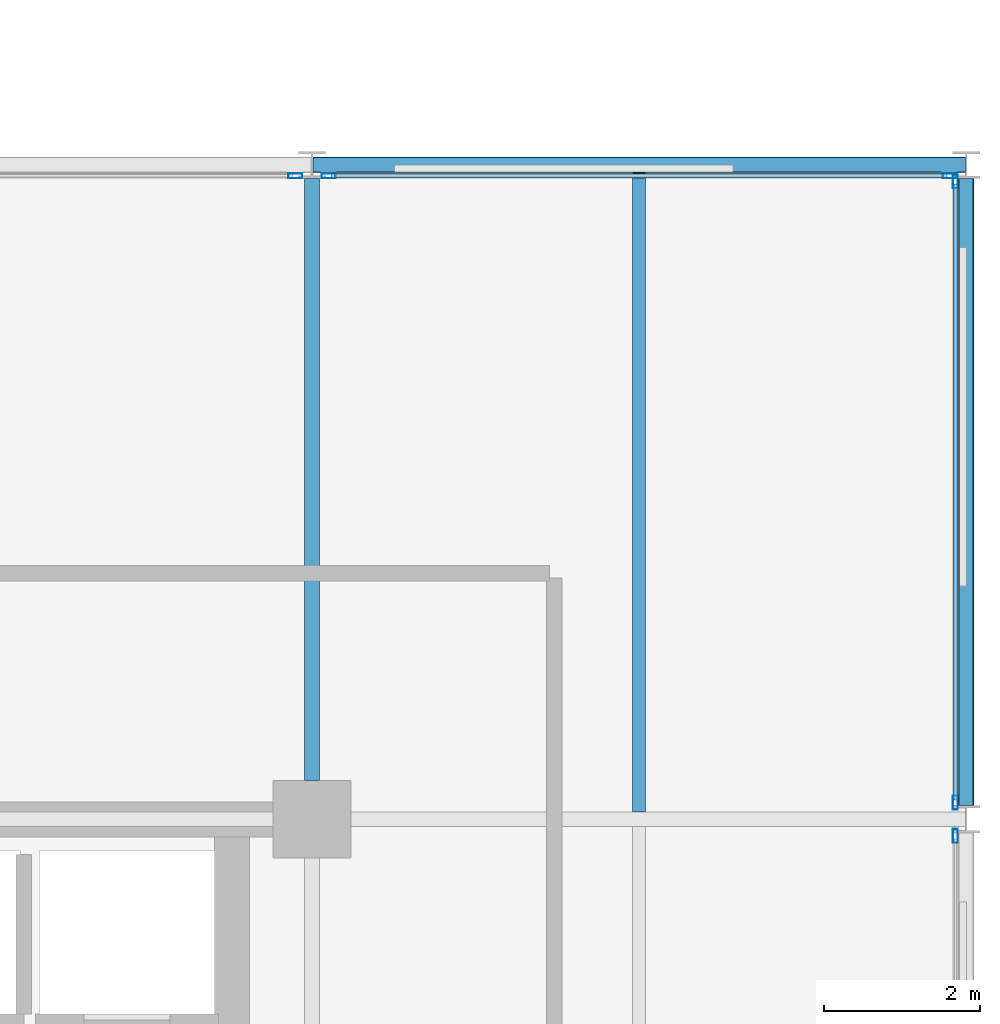
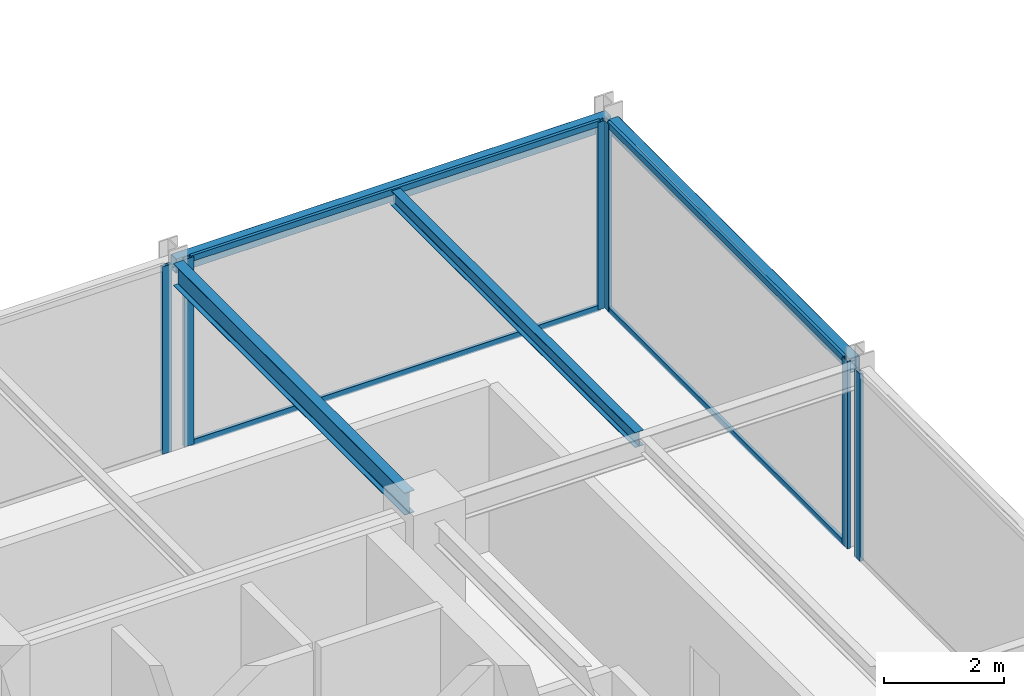
# One storey, part 15 of 25: 10 members, 4 beams, 4 elements without a shape of their own.
"""IFC4 building model written with IfcOpenShell, lengths in metres."""

from ifc_helpers import new_model, si_unit, direction, frame, origin, origin_2d, place, context, subcontext, project, spatial, hollow_rectangle, i_section, extrude, material, layer, layer_set, material_profile, profile_set, type_object, element, aggregate, save


model = new_model("IFC4")

# Units and contexts
model_context = context("Model", 3, precision=1e-05, world=origin(), true_north=direction((0.0, 1.0)))
body_context = subcontext(model_context, "Body", "Model", "MODEL_VIEW")
ifc_project = project(units=[si_unit("LENGTHUNIT", "METRE"), si_unit("AREAUNIT", "SQUARE_METRE"), si_unit("VOLUMEUNIT", "CUBIC_METRE"), si_unit("PLANEANGLEUNIT", "RADIAN"), si_unit("MASSUNIT", "GRAM", prefix="KILO")], contexts=[model_context])

# Site, building, storey
site_placement = place(None, origin())
site = spatial("IfcSite", under=ifc_project, at=site_placement, CompositionType="ELEMENT")
building_placement = place(site_placement, origin())
building = spatial("IfcBuilding", under=site, at=building_placement, Name="Nerrivon Quay Data Exchange", CompositionType="ELEMENT")
storey_placement = place(building_placement, frame((0.0, 0.0, 237.0)))
storey = spatial("IfcBuildingStorey", under=building, at=storey_placement, Name="L56", CompositionType="ELEMENT", Elevation=237.0)

# Beams
ifc_material_1 = material(Name="Steel Grade 350", Category="steel")
ifc_material_profile_1 = material_profile(ifc_material_1, i_section(OverallWidth=0.18994140625, OverallDepth=0.4541015625, WebThickness=0.008544921875, FlangeThickness=0.0126953125, FilletRadius=0.011474609375, at=origin_2d()), Name="460UB67.1")
ifc_profile_set_1 = profile_set([ifc_material_profile_1], Name="Steel Grade 350")
beam_type_1 = type_object("IfcBeamType", Name="BM-G6-460UB67", PredefinedType="BEAM", material=ifc_profile_set_1)
beam_1_placement = place(storey_placement, frame((33.60009765625, 17.300048828125, 3.597900390625), z_axis=(0.0, 1.0, 0.0), x_axis=(-1.0, 0.0, 0.0)))
element("IfcBeam", 1, at=beam_1_placement, inside=storey, type_object=beam_type_1, Name="L56 NS Girder X=33.6 (16.8..25.2)", PredefinedType="BEAM", context=body_context, shape_type="SweptSolid", body=[
    extrude(i_section(OverallWidth=0.18994140625, OverallDepth=0.4541015625, WebThickness=0.008544921875, FlangeThickness=0.0126953125, FilletRadius=0.011474609375, at=origin_2d()), origin(), (0.0, 0.0, 1.0), 7.724853515625),
])
ifc_material_profile_2 = material_profile(ifc_material_1, i_section(OverallWidth=0.166015625, OverallDepth=0.306884765625, WebThickness=0.006591796875, FlangeThickness=0.01171875, FilletRadius=0.011474609375, at=origin_2d()), Name="310UB46.2")
ifc_profile_set_2 = profile_set([ifc_material_profile_2], Name="Steel Grade 350")
beam_type_2 = type_object("IfcBeamType", Name="BM-J5-310UB46", PredefinedType="JOIST", material=ifc_profile_set_2)
beam_2_placement = place(storey_placement, frame((37.800048828125, 16.8955078125, 3.67138671875), z_axis=(0.0, 1.0, 0.0), x_axis=(-1.0, 0.0, 0.0)))
element("IfcBeam", 2, at=beam_2_placement, inside=storey, type_object=beam_type_2, Name="L56 Secondary Joist X=37.8 (16.8..25.2)", PredefinedType="JOIST", context=body_context, shape_type="SweptSolid", body=[
    extrude(i_section(OverallWidth=0.166015625, OverallDepth=0.306884765625, WebThickness=0.006591796875, FlangeThickness=0.01171875, FilletRadius=0.011474609375, at=origin_2d()), origin(), (0.0, 0.0, 1.0), 8.20458984375),
])
ifc_material_2 = material(Name="Steel Grade C350L0 (350 MPa)", Category="steel")
ifc_material_profile_3 = material_profile(ifc_material_2, hollow_rectangle(XDim=0.199951171875, YDim=0.300048828125, WallThickness=0.012451171875, InnerFilletRadius=0.018798828125, OuterFilletRadius=0.03125, at=origin_2d()), Name="300x200x12.5RHS")
ifc_profile_set_3 = profile_set([ifc_material_profile_3], Name="Steel Grade C350L0 (350 MPa)")
beam_type_3 = type_object("IfcBeamType", Name="BM-SP3-300x200RHS", PredefinedType="SPANDREL", material=ifc_profile_set_3)
beam_3_placement = place(storey_placement, frame((33.610107421875, 25.199951171875, 3.675048828125), z_axis=(1.0, 0.0, 0.0), x_axis=(0.0, 1.0, 0.0)))
element("IfcBeam", 3, at=beam_3_placement, inside=storey, type_object=beam_type_3, Name="L56 EW Girder Y=25.2 (33.6..42.0)", PredefinedType="SPANDREL", context=body_context, shape_type="SweptSolid", body=[
    extrude(hollow_rectangle(XDim=0.199951171875, YDim=0.300048828125, WallThickness=0.012451171875, InnerFilletRadius=0.018798828125, OuterFilletRadius=0.03125, at=origin_2d()), origin(), (0.0, 0.0, 1.0), 8.3798828125),
])
beam_4_placement = place(storey_placement, frame((42.0, 16.97509765625, 3.675048828125), z_axis=(0.0, 1.0, 0.0), x_axis=(-1.0, 0.0, 0.0)))
element("IfcBeam", 4, at=beam_4_placement, inside=storey, type_object=beam_type_3, Name="L56 NS Girder X=42.0 (16.8..25.2)", PredefinedType="SPANDREL", context=body_context, shape_type="SweptSolid", body=[
    extrude(hollow_rectangle(XDim=0.199951171875, YDim=0.300048828125, WallThickness=0.012451171875, InnerFilletRadius=0.018798828125, OuterFilletRadius=0.03125, at=origin_2d()), origin(), (0.0, 0.0, 1.0), 8.0498046875),
])

# Curtain wall, member
ifc_material_3 = material(Name="Anodised aluminium 6063-T6", Category="aluminium")
ifc_layer = layer(ifc_material_3, 0.195068359375)
ifc_layer_set = layer_set([ifc_layer], Name="Anodised aluminium 6063-T6")
curtain_wall_type = type_object("IfcCurtainWallType", Name="CW-SYS-06", PredefinedType="NOTDEFINED", material=ifc_layer_set)
curtain_wall_1_placement = place(storey_placement, origin())
curtain_wall_1 = element("IfcCurtainWall", 5, at=curtain_wall_1_placement, inside=storey, type_object=curtain_wall_type, Name="L56 Unitised Curtain Wall 24", PredefinedType="NOTDEFINED")
ifc_material_profile_4 = material_profile(ifc_material_3, hollow_rectangle(XDim=0.06494140625, YDim=0.179931640625, WallThickness=0.00341796875, at=origin_2d()), Name="ALU-MULL-180x65")
ifc_profile_set_4 = profile_set([ifc_material_profile_4], Name="Anodised aluminium 6063-T6")
member_type_1 = type_object("IfcMemberType", Name="CWM-180x65", PredefinedType="MULLION", material=ifc_profile_set_4)
member_1_placement = place(storey_placement, frame((33.387451171875, 25.06005859375, 0.0), z_axis=(0.0, 0.0, 1.0), x_axis=(0.0, 1.0, 0.0)))
member_1 = element("IfcMember", 6, at=member_1_placement, type_object=member_type_1, Name="CW06 mullion 2", PredefinedType="MULLION", context=body_context, shape_type="SweptSolid", body=[
    extrude(hollow_rectangle(XDim=0.06494140625, YDim=0.179931640625, WallThickness=0.00341796875, at=origin_2d()), origin(), (0.0, 0.0, 1.0), 3.824951171875),
])
aggregate(curtain_wall_1, [member_1])

# Curtain wall, members
curtain_wall_2_placement = place(storey_placement, origin())
curtain_wall_2 = element("IfcCurtainWall", 7, at=curtain_wall_2_placement, inside=storey, type_object=curtain_wall_type, Name="L56 Unitised Curtain Wall 25", PredefinedType="NOTDEFINED")
member_2_placement = place(storey_placement, frame((33.8125, 25.06005859375, 0.0), z_axis=(0.0, 0.0, 1.0), x_axis=(0.0, 1.0, 0.0)))
member_2 = element("IfcMember", 8, at=member_2_placement, type_object=member_type_1, Name="CW06 mullion 1", PredefinedType="MULLION", context=body_context, shape_type="SweptSolid", body=[
    extrude(hollow_rectangle(XDim=0.06494140625, YDim=0.179931640625, WallThickness=0.00341796875, at=origin_2d()), origin(), (0.0, 0.0, 1.0), 3.824951171875),
])
member_3_placement = place(storey_placement, frame((41.78759765625, 25.06005859375, 0.0), z_axis=(0.0, 0.0, 1.0), x_axis=(0.0, 1.0, 0.0)))
member_3 = element("IfcMember", 9, at=member_3_placement, type_object=member_type_1, Name="CW06 mullion 2", PredefinedType="MULLION", context=body_context, shape_type="SweptSolid", body=[
    extrude(hollow_rectangle(XDim=0.06494140625, YDim=0.179931640625, WallThickness=0.00341796875, at=origin_2d()), origin(), (0.0, 0.0, 1.0), 3.824951171875),
])

curtain_wall_3_placement = place(storey_placement, origin())
curtain_wall_3 = element("IfcCurtainWall", 10, at=curtain_wall_3_placement, inside=storey, type_object=curtain_wall_type, Name="L56 Unitised Curtain Wall 26", PredefinedType="NOTDEFINED")
member_4_placement = place(storey_placement, frame((41.860107421875, 24.987548828125, 0.0), z_axis=(0.0, 0.0, 1.0), x_axis=(1.0, 0.0, 0.0)))
member_4 = element("IfcMember", 11, at=member_4_placement, type_object=member_type_1, Name="CW06 mullion 1", PredefinedType="MULLION", context=body_context, shape_type="SweptSolid", body=[
    extrude(hollow_rectangle(XDim=0.06494140625, YDim=0.179931640625, WallThickness=0.00341796875, at=origin_2d()), origin(), (0.0, 0.0, 1.0), 3.824951171875),
])
member_5_placement = place(storey_placement, frame((41.860107421875, 17.012451171875, 0.0), z_axis=(0.0, 0.0, 1.0), x_axis=(1.0, 0.0, 0.0)))
member_5 = element("IfcMember", 12, at=member_5_placement, type_object=member_type_1, Name="CW06 mullion 2", PredefinedType="MULLION", context=body_context, shape_type="SweptSolid", body=[
    extrude(hollow_rectangle(XDim=0.06494140625, YDim=0.179931640625, WallThickness=0.00341796875, at=origin_2d()), origin(), (0.0, 0.0, 1.0), 3.824951171875),
])

# Curtain wall, member
curtain_wall_4_placement = place(storey_placement, origin())
curtain_wall_4 = element("IfcCurtainWall", 13, at=curtain_wall_4_placement, inside=storey, type_object=curtain_wall_type, Name="L56 Unitised Curtain Wall 27", PredefinedType="NOTDEFINED")
member_6_placement = place(storey_placement, frame((41.860107421875, 16.58740234375, 0.0), z_axis=(0.0, 0.0, 1.0), x_axis=(1.0, 0.0, 0.0)))
member_6 = element("IfcMember", 14, at=member_6_placement, type_object=member_type_1, Name="CW06 mullion 1", PredefinedType="MULLION", context=body_context, shape_type="SweptSolid", body=[
    extrude(hollow_rectangle(XDim=0.06494140625, YDim=0.179931640625, WallThickness=0.00341796875, at=origin_2d()), origin(), (0.0, 0.0, 1.0), 3.824951171875),
])
aggregate(curtain_wall_4, [member_6])

# Member
ifc_material_profile_5 = material_profile(ifc_material_3, hollow_rectangle(XDim=0.06005859375, YDim=0.1201171875, WallThickness=0.003173828125, at=origin_2d()), Name="ALU-TRAN-120x60")
ifc_profile_set_5 = profile_set([ifc_material_profile_5], Name="Anodised aluminium 6063-T6")
member_type_2 = type_object("IfcMemberType", Name="CWT-120x60", PredefinedType="USERDEFINED", material=ifc_profile_set_5)
member_7_placement = place(storey_placement, frame((33.85009765625, 25.06005859375, 0.032470703125), z_axis=(1.0, 0.0, 0.0), x_axis=(0.0, 1.0, 0.0)))
member_7 = element("IfcMember", 15, at=member_7_placement, type_object=member_type_2, Name="CW06 transom 1.1", ObjectType="TRANSOM", PredefinedType="USERDEFINED", context=body_context, shape_type="SweptSolid", body=[
    extrude(hollow_rectangle(XDim=0.06005859375, YDim=0.1201171875, WallThickness=0.003173828125, at=origin_2d()), origin(), (0.0, 0.0, 1.0), 7.89990234375),
])

member_8_placement = place(storey_placement, frame((33.85009765625, 25.06005859375, 3.79248046875), z_axis=(1.0, 0.0, 0.0), x_axis=(0.0, 1.0, 0.0)))
member_8 = element("IfcMember", 16, at=member_8_placement, type_object=member_type_2, Name="CW06 transom 1.2", ObjectType="TRANSOM", PredefinedType="USERDEFINED", context=body_context, shape_type="SweptSolid", body=[
    extrude(hollow_rectangle(XDim=0.06005859375, YDim=0.1201171875, WallThickness=0.003173828125, at=origin_2d()), origin(), (0.0, 0.0, 1.0), 7.89990234375),
])

aggregate(curtain_wall_2, [member_2, member_3, member_7, member_8])

member_9_placement = place(storey_placement, frame((41.860107421875, 24.949951171875, 0.032470703125), z_axis=(0.0, -1.0, 0.0), x_axis=(1.0, 0.0, 0.0)))
member_9 = element("IfcMember", 17, at=member_9_placement, type_object=member_type_2, Name="CW06 transom 1.1", ObjectType="TRANSOM", PredefinedType="USERDEFINED", context=body_context, shape_type="SweptSolid", body=[
    extrude(hollow_rectangle(XDim=0.06005859375, YDim=0.1201171875, WallThickness=0.003173828125, at=origin_2d()), origin(), (0.0, 0.0, 1.0), 7.89990234375),
])

member_10_placement = place(storey_placement, frame((41.860107421875, 24.949951171875, 3.79248046875), z_axis=(0.0, -1.0, 0.0), x_axis=(1.0, 0.0, 0.0)))
member_10 = element("IfcMember", 18, at=member_10_placement, type_object=member_type_2, Name="CW06 transom 1.2", ObjectType="TRANSOM", PredefinedType="USERDEFINED", context=body_context, shape_type="SweptSolid", body=[
    extrude(hollow_rectangle(XDim=0.06005859375, YDim=0.1201171875, WallThickness=0.003173828125, at=origin_2d()), origin(), (0.0, 0.0, 1.0), 7.89990234375),
])

aggregate(curtain_wall_3, [member_4, member_5, member_9, member_10])

save(model, "model.ifc")
